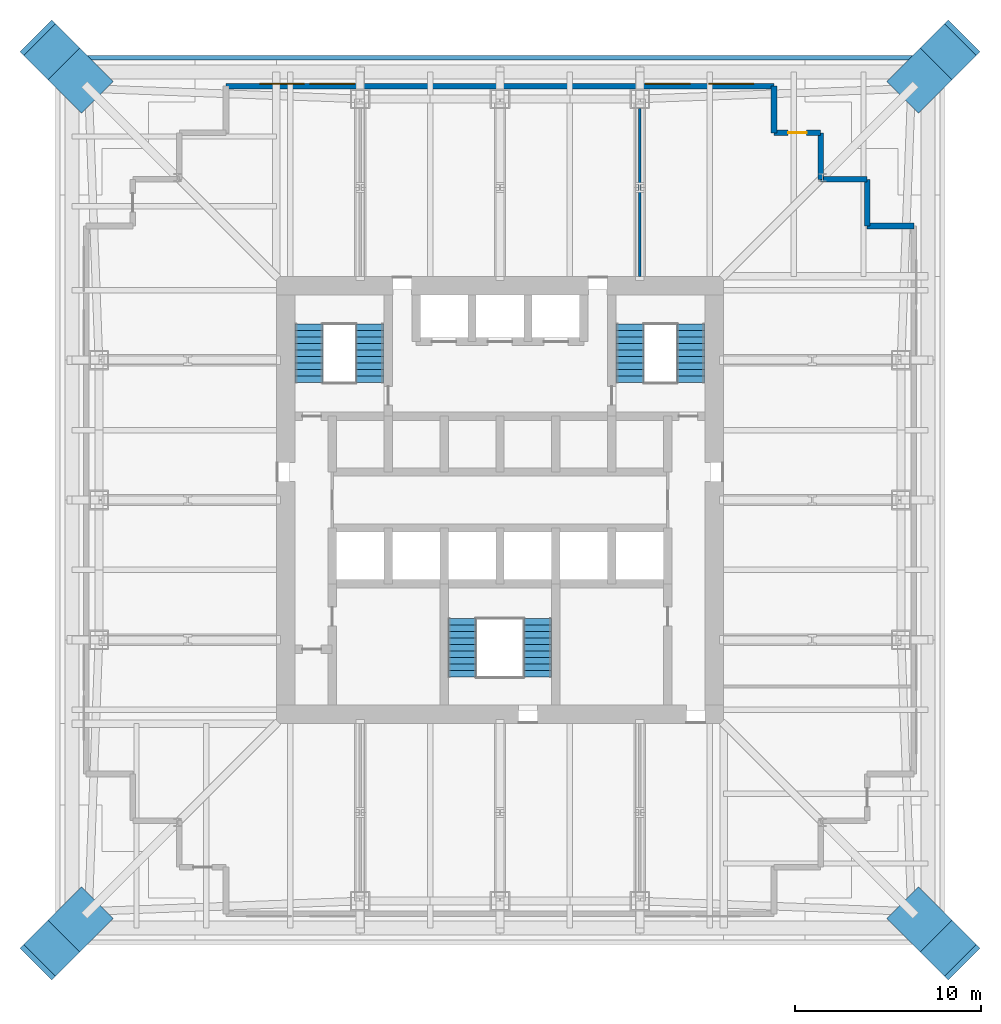
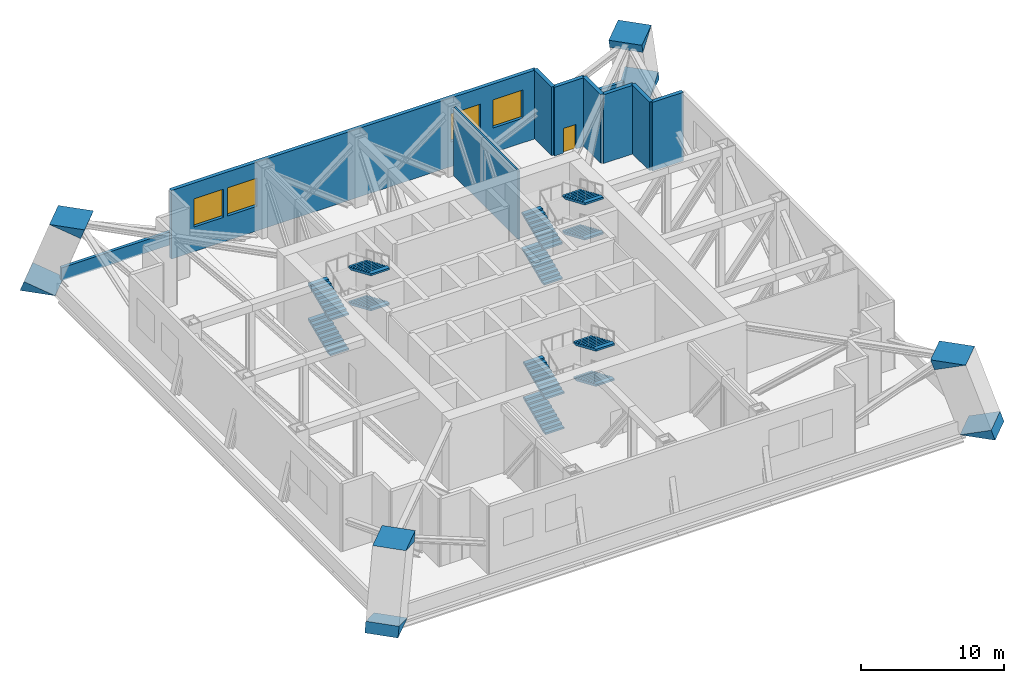
# One storey, part 7 of 8: 12 stair flights, 9 walls, 8 discrete accessories, 4 windows, 1 door, 5 openings, 3 elements without a shape of their own.
"""IFC4 building model written with IfcOpenShell, lengths in metres."""

from ifc_helpers import new_model, si_unit, direction, frame, frame_2d, origin, place, context, subcontext, project, spatial, polyline, rectangle, outline, extrude, material, layer, layer_set, type_object, element, fill, aggregate, save


model = new_model("IFC4")

# Units and contexts
model_context = context("Model", 3, precision=1e-05, world=origin(), true_north=direction((0.0, 1.0)))
body_context = subcontext(model_context, "Body", "Model", "MODEL_VIEW")
ifc_project = project(units=[si_unit("LENGTHUNIT", "METRE"), si_unit("AREAUNIT", "SQUARE_METRE"), si_unit("VOLUMEUNIT", "CUBIC_METRE"), si_unit("PLANEANGLEUNIT", "RADIAN"), si_unit("MASSUNIT", "GRAM", prefix="KILO")], contexts=[model_context])

# Site, building, storey
site_placement = place(None, origin())
site = spatial("IfcSite", under=ifc_project, at=site_placement, CompositionType="ELEMENT")
building_placement = place(site_placement, origin())
building = spatial("IfcBuilding", under=site, at=building_placement, Name="Tarangal Relay Tower", CompositionType="ELEMENT")
storey_placement = place(building_placement, frame((0.0, 0.0, 171.89990234375)))
storey = spatial("IfcBuildingStorey", under=building, at=storey_placement, Name="L35", CompositionType="ELEMENT", Elevation=171.89990234375)

# Wall, openings, windows
ifc_material_1 = material(Name="Insulated precast concrete fc' 40 MPa", Category="concrete")
ifc_layer_1 = layer(ifc_material_1, 0.300048828125)
ifc_layer_set_1 = layer_set([ifc_layer_1], Name="Insulated precast concrete fc' 40 MPa")
wall_type_1 = type_object("IfcWallType", Name="Facade wall precast 300", PredefinedType="SOLIDWALL", material=ifc_layer_set_1)
wall_1_placement = place(storey_placement, frame((-14.699951171875, 22.199951171875, 0.0), z_axis=(0.0, 0.0, 1.0), x_axis=(1.0, 0.0, 0.0)))
wall_1 = element("IfcWall", 1, at=wall_1_placement, inside=storey, type_object=wall_type_1, Name="Facade wall N facade L35", PredefinedType="SOLIDWALL", context=body_context, shape_type="SweptSolid", body=[
    extrude(rectangle(XDim=29.39990234375, YDim=0.300048828125, at=frame_2d((14.699951171875, 0.0))), origin(), (0.0, 0.0, 1.0), 5.85009765625),
])
opening_1_placement = place(wall_1_placement, frame((1.800048828125, 0.0, 2.10009765625)))
opening_1 = element("IfcOpeningElement", 2, at=opening_1_placement, cuts=wall_1, Name="Opening LV1", PredefinedType="OPENING", context=body_context, shape_type="SweptSolid", body=[
    extrude(rectangle(XDim=2.39990234375, YDim=2.39990234375, at=frame_2d((1.199951171875, 1.199951171875))), frame((0.0, 0.159912109375, 0.0), z_axis=(0.0, -1.0, 0.0), x_axis=(1.0, 0.0, 0.0)), (0.0, 0.0, 1.0), 0.320068359375),
])
opening_2_placement = place(wall_1_placement, frame((4.5, 0.0, 2.10009765625)))
opening_2 = element("IfcOpeningElement", 3, at=opening_2_placement, cuts=wall_1, Name="Opening LV1", PredefinedType="OPENING", context=body_context, shape_type="SweptSolid", body=[
    extrude(rectangle(XDim=2.39990234375, YDim=2.39990234375, at=frame_2d((1.199951171875, 1.199951171875))), frame((0.0, 0.159912109375, 0.0), z_axis=(0.0, -1.0, 0.0), x_axis=(1.0, 0.0, 0.0)), (0.0, 0.0, 1.0), 0.320068359375),
])
opening_3_placement = place(wall_1_placement, frame((22.5, 0.0, 2.10009765625)))
opening_3 = element("IfcOpeningElement", 4, at=opening_3_placement, cuts=wall_1, Name="Opening LV1", PredefinedType="OPENING", context=body_context, shape_type="SweptSolid", body=[
    extrude(rectangle(XDim=2.39990234375, YDim=2.39990234375, at=frame_2d((1.199951171875, 1.199951171875))), frame((0.0, 0.159912109375, 0.0), z_axis=(0.0, -1.0, 0.0), x_axis=(1.0, 0.0, 0.0)), (0.0, 0.0, 1.0), 0.320068359375),
])
opening_4_placement = place(wall_1_placement, frame((25.89990234375, 0.0, 2.10009765625)))
opening_4 = element("IfcOpeningElement", 5, at=opening_4_placement, cuts=wall_1, Name="Opening LV1", PredefinedType="OPENING", context=body_context, shape_type="SweptSolid", body=[
    extrude(rectangle(XDim=2.39990234375, YDim=2.39990234375, at=frame_2d((1.199951171875, 1.199951171875))), frame((0.0, 0.159912109375, 0.0), z_axis=(0.0, -1.0, 0.0), x_axis=(1.0, 0.0, 0.0)), (0.0, 0.0, 1.0), 0.320068359375),
])
ifc_material_2 = material(Name="Black aluminium weather louvre", Category="aluminium")
window_type = type_object("IfcWindowType", Name="Louvre 2400 x 2400", PartitioningType="SINGLE_PANEL", PredefinedType="WINDOW", material=ifc_material_2)
window_1_placement = place(opening_1_placement, origin())
window_1 = element("IfcWindow", 6, at=window_1_placement, inside=storey, type_object=window_type, Name="Louvre LV1 N facade L35", OverallHeight=2.39990234375, OverallWidth=2.39990234375, PartitioningType="SINGLE_PANEL", PredefinedType="WINDOW", context=body_context, shape_type="SweptSolid", body=[
    extrude(rectangle(XDim=2.39990234375, YDim=2.39990234375, at=frame_2d((1.199951171875, 1.199951171875))), frame((0.0, 0.150146484375, 0.0), z_axis=(0.0, -1.0, 0.0), x_axis=(1.0, 0.0, 0.0)), (0.0, 0.0, 1.0), 0.06005859375),
])
fill(opening_1, window_1)
window_2_placement = place(opening_2_placement, origin())
window_2 = element("IfcWindow", 7, at=window_2_placement, inside=storey, type_object=window_type, Name="Louvre LV1 N facade L35", OverallHeight=2.39990234375, OverallWidth=2.39990234375, PartitioningType="SINGLE_PANEL", PredefinedType="WINDOW", context=body_context, shape_type="SweptSolid", body=[
    extrude(rectangle(XDim=2.39990234375, YDim=2.39990234375, at=frame_2d((1.199951171875, 1.199951171875))), frame((0.0, 0.150146484375, 0.0), z_axis=(0.0, -1.0, 0.0), x_axis=(1.0, 0.0, 0.0)), (0.0, 0.0, 1.0), 0.06005859375),
])
fill(opening_2, window_2)
window_3_placement = place(opening_3_placement, origin())
window_3 = element("IfcWindow", 8, at=window_3_placement, inside=storey, type_object=window_type, Name="Louvre LV1 N facade L35", OverallHeight=2.39990234375, OverallWidth=2.39990234375, PartitioningType="SINGLE_PANEL", PredefinedType="WINDOW", context=body_context, shape_type="SweptSolid", body=[
    extrude(rectangle(XDim=2.39990234375, YDim=2.39990234375, at=frame_2d((1.199951171875, 1.199951171875))), frame((0.0, 0.150146484375, 0.0), z_axis=(0.0, -1.0, 0.0), x_axis=(1.0, 0.0, 0.0)), (0.0, 0.0, 1.0), 0.06005859375),
])
fill(opening_3, window_3)
window_4_placement = place(opening_4_placement, origin())
window_4 = element("IfcWindow", 9, at=window_4_placement, inside=storey, type_object=window_type, Name="Louvre LV1 N facade L35", OverallHeight=2.39990234375, OverallWidth=2.39990234375, PartitioningType="SINGLE_PANEL", PredefinedType="WINDOW", context=body_context, shape_type="SweptSolid", body=[
    extrude(rectangle(XDim=2.39990234375, YDim=2.39990234375, at=frame_2d((1.199951171875, 1.199951171875))), frame((0.0, 0.150146484375, 0.0), z_axis=(0.0, -1.0, 0.0), x_axis=(1.0, 0.0, 0.0)), (0.0, 0.0, 1.0), 0.06005859375),
])
fill(opening_4, window_4)

# Wall
wall_2_placement = place(storey_placement, frame((14.699951171875, 22.199951171875, 0.0), z_axis=(0.0, 0.0, 1.0), x_axis=(0.0, -1.0, 0.0)))
element("IfcWall", 10, at=wall_2_placement, inside=storey, type_object=wall_type_1, Name="Facade wall N facade L35", PredefinedType="SOLIDWALL", context=body_context, shape_type="SweptSolid", body=[
    extrude(rectangle(XDim=2.5, YDim=0.300048828125, at=frame_2d((1.25, 0.0))), origin(), (0.0, 0.0, 1.0), 5.85009765625),
])

# Wall, opening, door
wall_3_placement = place(storey_placement, frame((14.699951171875, 19.699951171875, 0.0), z_axis=(0.0, 0.0, 1.0), x_axis=(1.0, 0.0, 0.0)))
wall_3 = element("IfcWall", 11, at=wall_3_placement, inside=storey, type_object=wall_type_1, Name="Facade wall N facade L35", PredefinedType="SOLIDWALL", context=body_context, shape_type="SweptSolid", body=[
    extrude(rectangle(XDim=2.5, YDim=0.300048828125, at=frame_2d((1.25, 0.0))), origin(), (0.0, 0.0, 1.0), 5.85009765625),
])
opening_5_placement = place(wall_3_placement, frame((0.75, 0.0, 0.0)))
opening_5 = element("IfcOpeningElement", 12, at=opening_5_placement, cuts=wall_3, Name="Opening MD1", PredefinedType="OPENING", context=body_context, shape_type="SweptSolid", body=[
    extrude(rectangle(XDim=1.0, YDim=2.10009765625, at=frame_2d((0.5, 1.050048828125))), frame((0.0, 0.159912109375, 0.0), z_axis=(0.0, -1.0, 0.0), x_axis=(1.0, 0.0, 0.0)), (0.0, 0.0, 1.0), 0.320068359375),
])
ifc_material_3 = material(Name="Steel door with hardwood frame", Category="steel")
door_type = type_object("IfcDoorType", Name="Maintenance access door 1000 x 2100", OperationType="SINGLE_SWING_RIGHT", PredefinedType="DOOR", material=ifc_material_3)
door_placement = place(opening_5_placement, origin())
door = element("IfcDoor", 13, at=door_placement, inside=storey, type_object=door_type, Name="Maintenance access door MD1 NE L35", OperationType="SINGLE_SWING_RIGHT", OverallHeight=2.10009765625, OverallWidth=1.0, PredefinedType="DOOR", context=body_context, shape_type="SweptSolid", body=[
    extrude(rectangle(XDim=1.0, YDim=2.10009765625, at=frame_2d((0.5, 1.050048828125))), frame((0.0, 0.02490234375, 0.0), z_axis=(0.0, -1.0, 0.0), x_axis=(1.0, 0.0, 0.0)), (0.0, 0.0, 1.0), 0.050048828125),
])
fill(opening_5, door)

# Walls
for number, where, z_axis, x_axis, name in (
    (14, (17.199951171875, 19.699951171875, 0.0), (0.0, 0.0, 1.0), (0.0, -1.0, 0.0), "Facade wall N facade L35"),
    (15, (17.199951171875, 17.199951171875, 0.0), (0.0, 0.0, 1.0), (1.0, 0.0, 0.0), "Facade wall N facade L35"),
    (16, (19.699951171875, 17.199951171875, 0.0), (0.0, 0.0, 1.0), (0.0, -1.0, 0.0), "Facade wall N facade L35"),
    (17, (19.699951171875, 14.699951171875, 0.0), (0.0, 0.0, 1.0), (1.0, 0.0, 0.0), "Facade wall N facade L35"),
):
    element("IfcWall", number, at=place(storey_placement, frame(where, z_axis=z_axis, x_axis=x_axis)), inside=storey, type_object=wall_type_1, Name=name, PredefinedType="SOLIDWALL", context=body_context, shape_type="SweptSolid", body=[
        extrude(rectangle(XDim=2.5, YDim=0.300048828125, at=frame_2d((1.25, 0.0))), origin(), (0.0, 0.0, 1.0), 5.85009765625),
    ])
ifc_material_4 = material(Name="Concrete parapet with metal coping", Category="concrete")
ifc_layer_2 = layer(ifc_material_4, 0.25)
ifc_layer_set_2 = layer_set([ifc_layer_2], Name="Parapet 250")
wall_type_2 = type_object("IfcWallType", Name="Parapet 250", PredefinedType="PARAPET", material=ifc_layer_set_2)
wall_4_placement = place(storey_placement, frame((-22.64990234375, 23.72509765625, 0.0), z_axis=(0.0, 0.0, 1.0), x_axis=(1.0, 0.0, 0.0)))
element("IfcWall", 18, at=wall_4_placement, inside=storey, type_object=wall_type_2, Name="Ledge parapet PP1 L35", PredefinedType="PARAPET", context=body_context, shape_type="SweptSolid", body=[
    extrude(rectangle(XDim=45.2998046875, YDim=0.25, at=frame_2d((22.64990234375, 0.0))), origin(), (0.0, 0.0, 1.0), 1.10009765625),
])
ifc_material_5 = material(Name="Gypsum board on steel studs", Category="steel")
ifc_layer_3 = layer(ifc_material_5, 0.14990234375)
ifc_layer_set_3 = layer_set([ifc_layer_3], Name="Partition 150")
wall_type_3 = type_object("IfcWallType", Name="Partition 150", PredefinedType="PARTITIONING", material=ifc_layer_set_3)
wall_5_placement = place(storey_placement, frame((7.5, 12.0, 0.0), z_axis=(0.0, 0.0, 1.0), x_axis=(0.0, 1.0, 0.0)))
element("IfcWall", 19, at=wall_5_placement, inside=storey, type_object=wall_type_3, Name="Partition PT1 L35", PredefinedType="PARTITIONING", context=body_context, shape_type="SweptSolid", body=[
    extrude(rectangle(XDim=8.989990234375, YDim=0.14990234375, at=frame_2d((4.4951171875, 0.0))), origin(), (0.0, 0.0, 1.0), 5.85009765625),
])

# Stair, stair flights
ifc_material_6 = material(Name="Steel ASTM A992 stair flight", Category="steel")
stair_type = type_object("IfcStairType", Name="Core stair 1500", PredefinedType="HALF_TURN_STAIR", material=ifc_material_6)
stair_1_placement = place(storey_placement, origin())
stair_1 = element("IfcStair", 20, at=stair_1_placement, inside=storey, type_object=stair_type, Name="Stair ST-A L35", PredefinedType="HALF_TURN_STAIR")
stair_flight_type = type_object("IfcStairFlightType", Name="Steel stair flight 1500, 10 risers 150 x 348", PredefinedType="STRAIGHT", material=ifc_material_6)
stair_flight_1_placement = place(storey_placement, frame((-10.25, 6.300048828125, 0.0), z_axis=(0.0, 0.0, 1.0), x_axis=(0.0, 1.0, 0.0)))
stair_flight_1 = element("IfcStairFlight", 21, at=stair_flight_1_placement, type_object=stair_flight_type, Name="ST-A flight 1", NumberOfRisers=10, NumberOfTreads=9, PredefinedType="STRAIGHT", RiserHeight=0.15, TreadLength=0.348, context=body_context, shape_type="SweptSolid", body=[
    extrude(outline(polyline([(0.0, 0.0), (0.0, 0.14990234375), (0.347900390625, 0.14990234375), (0.347900390625, 0.300048828125), (0.696044921875, 0.300048828125), (0.696044921875, 0.449951171875), (1.0439453125, 0.449951171875), (1.0439453125, 0.60009765625), (1.39208984375, 0.60009765625), (1.39208984375, 0.75), (1.739990234375, 0.75), (1.739990234375, 0.89990234375), (2.087890625, 0.89990234375), (2.087890625, 1.050048828125), (2.43603515625, 1.050048828125), (2.43603515625, 1.199951171875), (2.783935546875, 1.199951171875), (2.783935546875, 1.35009765625), (3.132080078125, 1.35009765625), (3.132080078125, 1.5), (3.132080078125, 1.186767578125), (0.378662109375, 0.0), (0.0, 0.0)])), frame((0.0, 0.75, 0.0), z_axis=(0.0, -1.0, 0.0), x_axis=(1.0, 0.0, 0.0)), (0.0, 0.0, 1.0), 1.5),
])
stair_flight_2_placement = place(storey_placement, frame((-6.97509765625, 9.431884765625, 1.5), z_axis=(0.0, 0.0, 1.0), x_axis=(0.0, -1.0, 0.0)))
stair_flight_2 = element("IfcStairFlight", 22, at=stair_flight_2_placement, type_object=stair_flight_type, Name="ST-A flight 2", NumberOfRisers=10, NumberOfTreads=9, PredefinedType="STRAIGHT", RiserHeight=0.15, TreadLength=0.348, context=body_context, shape_type="SweptSolid", body=[
    extrude(outline(polyline([(0.0, 0.0), (0.0, 0.14990234375), (0.347900390625, 0.14990234375), (0.347900390625, 0.300048828125), (0.696044921875, 0.300048828125), (0.696044921875, 0.449951171875), (1.0439453125, 0.449951171875), (1.0439453125, 0.60009765625), (1.39208984375, 0.60009765625), (1.39208984375, 0.75), (1.739990234375, 0.75), (1.739990234375, 0.89990234375), (2.087890625, 0.89990234375), (2.087890625, 1.050048828125), (2.43603515625, 1.050048828125), (2.43603515625, 1.199951171875), (2.783935546875, 1.199951171875), (2.783935546875, 1.35009765625), (3.132080078125, 1.35009765625), (3.132080078125, 1.5), (3.132080078125, 1.186767578125), (0.378662109375, 0.0), (0.0, 0.0)])), frame((0.0, 0.75, 0.0), z_axis=(0.0, -1.0, 0.0), x_axis=(1.0, 0.0, 0.0)), (0.0, 0.0, 1.0), 1.5),
])
stair_flight_3_placement = place(storey_placement, frame((-10.25, 6.300048828125, 3.0), z_axis=(0.0, 0.0, 1.0), x_axis=(0.0, 1.0, 0.0)))
stair_flight_3 = element("IfcStairFlight", 23, at=stair_flight_3_placement, type_object=stair_flight_type, Name="ST-A flight 3", NumberOfRisers=10, NumberOfTreads=9, PredefinedType="STRAIGHT", RiserHeight=0.15, TreadLength=0.348, context=body_context, shape_type="SweptSolid", body=[
    extrude(outline(polyline([(0.0, 0.0), (0.0, 0.14990234375), (0.347900390625, 0.14990234375), (0.347900390625, 0.300048828125), (0.696044921875, 0.300048828125), (0.696044921875, 0.449951171875), (1.0439453125, 0.449951171875), (1.0439453125, 0.60009765625), (1.39208984375, 0.60009765625), (1.39208984375, 0.75), (1.739990234375, 0.75), (1.739990234375, 0.89990234375), (2.087890625, 0.89990234375), (2.087890625, 1.050048828125), (2.43603515625, 1.050048828125), (2.43603515625, 1.199951171875), (2.783935546875, 1.199951171875), (2.783935546875, 1.35009765625), (3.132080078125, 1.35009765625), (3.132080078125, 1.5), (3.132080078125, 1.186767578125), (0.378662109375, 0.0), (0.0, 0.0)])), frame((0.0, 0.75, 0.0), z_axis=(0.0, -1.0, 0.0), x_axis=(1.0, 0.0, 0.0)), (0.0, 0.0, 1.0), 1.5),
])
stair_flight_4_placement = place(storey_placement, frame((-6.97509765625, 9.431884765625, 4.5), z_axis=(0.0, 0.0, 1.0), x_axis=(0.0, -1.0, 0.0)))
stair_flight_4 = element("IfcStairFlight", 24, at=stair_flight_4_placement, type_object=stair_flight_type, Name="ST-A flight 4", NumberOfRisers=10, NumberOfTreads=9, PredefinedType="STRAIGHT", RiserHeight=0.15, TreadLength=0.348, context=body_context, shape_type="SweptSolid", body=[
    extrude(outline(polyline([(0.0, 0.0), (0.0, 0.14990234375), (0.347900390625, 0.14990234375), (0.347900390625, 0.300048828125), (0.696044921875, 0.300048828125), (0.696044921875, 0.449951171875), (1.0439453125, 0.449951171875), (1.0439453125, 0.60009765625), (1.39208984375, 0.60009765625), (1.39208984375, 0.75), (1.739990234375, 0.75), (1.739990234375, 0.89990234375), (2.087890625, 0.89990234375), (2.087890625, 1.050048828125), (2.43603515625, 1.050048828125), (2.43603515625, 1.199951171875), (2.783935546875, 1.199951171875), (2.783935546875, 1.35009765625), (3.132080078125, 1.35009765625), (3.132080078125, 1.5), (3.132080078125, 1.186767578125), (0.378662109375, 0.0), (0.0, 0.0)])), frame((0.0, 0.75, 0.0), z_axis=(0.0, -1.0, 0.0), x_axis=(1.0, 0.0, 0.0)), (0.0, 0.0, 1.0), 1.5),
])
aggregate(stair_1, [stair_flight_1, stair_flight_2, stair_flight_3, stair_flight_4])

stair_2_placement = place(storey_placement, origin())
stair_2 = element("IfcStair", 25, at=stair_2_placement, inside=storey, type_object=stair_type, Name="Stair ST-B L35", PredefinedType="HALF_TURN_STAIR")
stair_flight_5_placement = place(storey_placement, frame((6.97509765625, 6.300048828125, 0.0), z_axis=(0.0, 0.0, 1.0), x_axis=(0.0, 1.0, 0.0)))
stair_flight_5 = element("IfcStairFlight", 26, at=stair_flight_5_placement, type_object=stair_flight_type, Name="ST-B flight 1", NumberOfRisers=10, NumberOfTreads=9, PredefinedType="STRAIGHT", RiserHeight=0.15, TreadLength=0.348, context=body_context, shape_type="SweptSolid", body=[
    extrude(outline(polyline([(0.0, 0.0), (0.0, 0.14990234375), (0.347900390625, 0.14990234375), (0.347900390625, 0.300048828125), (0.696044921875, 0.300048828125), (0.696044921875, 0.449951171875), (1.0439453125, 0.449951171875), (1.0439453125, 0.60009765625), (1.39208984375, 0.60009765625), (1.39208984375, 0.75), (1.739990234375, 0.75), (1.739990234375, 0.89990234375), (2.087890625, 0.89990234375), (2.087890625, 1.050048828125), (2.43603515625, 1.050048828125), (2.43603515625, 1.199951171875), (2.783935546875, 1.199951171875), (2.783935546875, 1.35009765625), (3.132080078125, 1.35009765625), (3.132080078125, 1.5), (3.132080078125, 1.186767578125), (0.378662109375, 0.0), (0.0, 0.0)])), frame((0.0, 0.75, 0.0), z_axis=(0.0, -1.0, 0.0), x_axis=(1.0, 0.0, 0.0)), (0.0, 0.0, 1.0), 1.5),
])
stair_flight_6_placement = place(storey_placement, frame((10.25, 9.431884765625, 1.5), z_axis=(0.0, 0.0, 1.0), x_axis=(0.0, -1.0, 0.0)))
stair_flight_6 = element("IfcStairFlight", 27, at=stair_flight_6_placement, type_object=stair_flight_type, Name="ST-B flight 2", NumberOfRisers=10, NumberOfTreads=9, PredefinedType="STRAIGHT", RiserHeight=0.15, TreadLength=0.348, context=body_context, shape_type="SweptSolid", body=[
    extrude(outline(polyline([(0.0, 0.0), (0.0, 0.14990234375), (0.347900390625, 0.14990234375), (0.347900390625, 0.300048828125), (0.696044921875, 0.300048828125), (0.696044921875, 0.449951171875), (1.0439453125, 0.449951171875), (1.0439453125, 0.60009765625), (1.39208984375, 0.60009765625), (1.39208984375, 0.75), (1.739990234375, 0.75), (1.739990234375, 0.89990234375), (2.087890625, 0.89990234375), (2.087890625, 1.050048828125), (2.43603515625, 1.050048828125), (2.43603515625, 1.199951171875), (2.783935546875, 1.199951171875), (2.783935546875, 1.35009765625), (3.132080078125, 1.35009765625), (3.132080078125, 1.5), (3.132080078125, 1.186767578125), (0.378662109375, 0.0), (0.0, 0.0)])), frame((0.0, 0.75, 0.0), z_axis=(0.0, -1.0, 0.0), x_axis=(1.0, 0.0, 0.0)), (0.0, 0.0, 1.0), 1.5),
])
stair_flight_7_placement = place(storey_placement, frame((6.97509765625, 6.300048828125, 3.0), z_axis=(0.0, 0.0, 1.0), x_axis=(0.0, 1.0, 0.0)))
stair_flight_7 = element("IfcStairFlight", 28, at=stair_flight_7_placement, type_object=stair_flight_type, Name="ST-B flight 3", NumberOfRisers=10, NumberOfTreads=9, PredefinedType="STRAIGHT", RiserHeight=0.15, TreadLength=0.348, context=body_context, shape_type="SweptSolid", body=[
    extrude(outline(polyline([(0.0, 0.0), (0.0, 0.14990234375), (0.347900390625, 0.14990234375), (0.347900390625, 0.300048828125), (0.696044921875, 0.300048828125), (0.696044921875, 0.449951171875), (1.0439453125, 0.449951171875), (1.0439453125, 0.60009765625), (1.39208984375, 0.60009765625), (1.39208984375, 0.75), (1.739990234375, 0.75), (1.739990234375, 0.89990234375), (2.087890625, 0.89990234375), (2.087890625, 1.050048828125), (2.43603515625, 1.050048828125), (2.43603515625, 1.199951171875), (2.783935546875, 1.199951171875), (2.783935546875, 1.35009765625), (3.132080078125, 1.35009765625), (3.132080078125, 1.5), (3.132080078125, 1.186767578125), (0.378662109375, 0.0), (0.0, 0.0)])), frame((0.0, 0.75, 0.0), z_axis=(0.0, -1.0, 0.0), x_axis=(1.0, 0.0, 0.0)), (0.0, 0.0, 1.0), 1.5),
])
stair_flight_8_placement = place(storey_placement, frame((10.25, 9.431884765625, 4.5), z_axis=(0.0, 0.0, 1.0), x_axis=(0.0, -1.0, 0.0)))
stair_flight_8 = element("IfcStairFlight", 29, at=stair_flight_8_placement, type_object=stair_flight_type, Name="ST-B flight 4", NumberOfRisers=10, NumberOfTreads=9, PredefinedType="STRAIGHT", RiserHeight=0.15, TreadLength=0.348, context=body_context, shape_type="SweptSolid", body=[
    extrude(outline(polyline([(0.0, 0.0), (0.0, 0.14990234375), (0.347900390625, 0.14990234375), (0.347900390625, 0.300048828125), (0.696044921875, 0.300048828125), (0.696044921875, 0.449951171875), (1.0439453125, 0.449951171875), (1.0439453125, 0.60009765625), (1.39208984375, 0.60009765625), (1.39208984375, 0.75), (1.739990234375, 0.75), (1.739990234375, 0.89990234375), (2.087890625, 0.89990234375), (2.087890625, 1.050048828125), (2.43603515625, 1.050048828125), (2.43603515625, 1.199951171875), (2.783935546875, 1.199951171875), (2.783935546875, 1.35009765625), (3.132080078125, 1.35009765625), (3.132080078125, 1.5), (3.132080078125, 1.186767578125), (0.378662109375, 0.0), (0.0, 0.0)])), frame((0.0, 0.75, 0.0), z_axis=(0.0, -1.0, 0.0), x_axis=(1.0, 0.0, 0.0)), (0.0, 0.0, 1.0), 1.5),
])
aggregate(stair_2, [stair_flight_5, stair_flight_6, stair_flight_7, stair_flight_8])

stair_3_placement = place(storey_placement, origin())
stair_3 = element("IfcStair", 30, at=stair_3_placement, inside=storey, type_object=stair_type, Name="Stair ST-C L35", PredefinedType="HALF_TURN_STAIR")
stair_flight_9_placement = place(storey_placement, frame((-2.02490234375, -9.5, 0.0), z_axis=(0.0, 0.0, 1.0), x_axis=(0.0, 1.0, 0.0)))
stair_flight_9 = element("IfcStairFlight", 31, at=stair_flight_9_placement, type_object=stair_flight_type, Name="ST-C flight 1", NumberOfRisers=10, NumberOfTreads=9, PredefinedType="STRAIGHT", RiserHeight=0.15, TreadLength=0.348, context=body_context, shape_type="SweptSolid", body=[
    extrude(outline(polyline([(0.0, 0.0), (0.0, 0.14990234375), (0.347900390625, 0.14990234375), (0.347900390625, 0.300048828125), (0.696044921875, 0.300048828125), (0.696044921875, 0.449951171875), (1.0439453125, 0.449951171875), (1.0439453125, 0.60009765625), (1.39208984375, 0.60009765625), (1.39208984375, 0.75), (1.739990234375, 0.75), (1.739990234375, 0.89990234375), (2.087890625, 0.89990234375), (2.087890625, 1.050048828125), (2.43603515625, 1.050048828125), (2.43603515625, 1.199951171875), (2.783935546875, 1.199951171875), (2.783935546875, 1.35009765625), (3.132080078125, 1.35009765625), (3.132080078125, 1.5), (3.132080078125, 1.186767578125), (0.378662109375, 0.0), (0.0, 0.0)])), frame((0.0, 0.75, 0.0), z_axis=(0.0, -1.0, 0.0), x_axis=(1.0, 0.0, 0.0)), (0.0, 0.0, 1.0), 1.5),
])
stair_flight_10_placement = place(storey_placement, frame((2.02490234375, -6.367919921875, 1.5), z_axis=(0.0, 0.0, 1.0), x_axis=(0.0, -1.0, 0.0)))
stair_flight_10 = element("IfcStairFlight", 32, at=stair_flight_10_placement, type_object=stair_flight_type, Name="ST-C flight 2", NumberOfRisers=10, NumberOfTreads=9, PredefinedType="STRAIGHT", RiserHeight=0.15, TreadLength=0.348, context=body_context, shape_type="SweptSolid", body=[
    extrude(outline(polyline([(0.0, 0.0), (0.0, 0.14990234375), (0.347900390625, 0.14990234375), (0.347900390625, 0.300048828125), (0.696044921875, 0.300048828125), (0.696044921875, 0.449951171875), (1.0439453125, 0.449951171875), (1.0439453125, 0.60009765625), (1.39208984375, 0.60009765625), (1.39208984375, 0.75), (1.739990234375, 0.75), (1.739990234375, 0.89990234375), (2.087890625, 0.89990234375), (2.087890625, 1.050048828125), (2.43603515625, 1.050048828125), (2.43603515625, 1.199951171875), (2.783935546875, 1.199951171875), (2.783935546875, 1.35009765625), (3.132080078125, 1.35009765625), (3.132080078125, 1.5), (3.132080078125, 1.186767578125), (0.378662109375, 0.0), (0.0, 0.0)])), frame((0.0, 0.75, 0.0), z_axis=(0.0, -1.0, 0.0), x_axis=(1.0, 0.0, 0.0)), (0.0, 0.0, 1.0), 1.5),
])
stair_flight_11_placement = place(storey_placement, frame((-2.02490234375, -9.5, 3.0), z_axis=(0.0, 0.0, 1.0), x_axis=(0.0, 1.0, 0.0)))
stair_flight_11 = element("IfcStairFlight", 33, at=stair_flight_11_placement, type_object=stair_flight_type, Name="ST-C flight 3", NumberOfRisers=10, NumberOfTreads=9, PredefinedType="STRAIGHT", RiserHeight=0.15, TreadLength=0.348, context=body_context, shape_type="SweptSolid", body=[
    extrude(outline(polyline([(0.0, 0.0), (0.0, 0.14990234375), (0.347900390625, 0.14990234375), (0.347900390625, 0.300048828125), (0.696044921875, 0.300048828125), (0.696044921875, 0.449951171875), (1.0439453125, 0.449951171875), (1.0439453125, 0.60009765625), (1.39208984375, 0.60009765625), (1.39208984375, 0.75), (1.739990234375, 0.75), (1.739990234375, 0.89990234375), (2.087890625, 0.89990234375), (2.087890625, 1.050048828125), (2.43603515625, 1.050048828125), (2.43603515625, 1.199951171875), (2.783935546875, 1.199951171875), (2.783935546875, 1.35009765625), (3.132080078125, 1.35009765625), (3.132080078125, 1.5), (3.132080078125, 1.186767578125), (0.378662109375, 0.0), (0.0, 0.0)])), frame((0.0, 0.75, 0.0), z_axis=(0.0, -1.0, 0.0), x_axis=(1.0, 0.0, 0.0)), (0.0, 0.0, 1.0), 1.5),
])
stair_flight_12_placement = place(storey_placement, frame((2.02490234375, -6.367919921875, 4.5), z_axis=(0.0, 0.0, 1.0), x_axis=(0.0, -1.0, 0.0)))
stair_flight_12 = element("IfcStairFlight", 34, at=stair_flight_12_placement, type_object=stair_flight_type, Name="ST-C flight 4", NumberOfRisers=10, NumberOfTreads=9, PredefinedType="STRAIGHT", RiserHeight=0.15, TreadLength=0.348, context=body_context, shape_type="SweptSolid", body=[
    extrude(outline(polyline([(0.0, 0.0), (0.0, 0.14990234375), (0.347900390625, 0.14990234375), (0.347900390625, 0.300048828125), (0.696044921875, 0.300048828125), (0.696044921875, 0.449951171875), (1.0439453125, 0.449951171875), (1.0439453125, 0.60009765625), (1.39208984375, 0.60009765625), (1.39208984375, 0.75), (1.739990234375, 0.75), (1.739990234375, 0.89990234375), (2.087890625, 0.89990234375), (2.087890625, 1.050048828125), (2.43603515625, 1.050048828125), (2.43603515625, 1.199951171875), (2.783935546875, 1.199951171875), (2.783935546875, 1.35009765625), (3.132080078125, 1.35009765625), (3.132080078125, 1.5), (3.132080078125, 1.186767578125), (0.378662109375, 0.0), (0.0, 0.0)])), frame((0.0, 0.75, 0.0), z_axis=(0.0, -1.0, 0.0), x_axis=(1.0, 0.0, 0.0)), (0.0, 0.0, 1.0), 1.5),
])
aggregate(stair_3, [stair_flight_9, stair_flight_10, stair_flight_11, stair_flight_12])

# Discrete accessories
ifc_material_7 = material(Name="Steel ASTM A572 Grade 50", Category="steel")
ifc_layer_4 = layer(ifc_material_7, 2.39990234375)
ifc_layer_set_4 = layer_set([ifc_layer_4], Name="Mega column node 2400")
discrete_accessory_type = type_object("IfcDiscreteAccessoryType", Name="Mega column node 2400", PredefinedType="USERDEFINED", material=ifc_layer_set_4)
discrete_accessory_1_placement = place(storey_placement, frame((23.948486328125, 22.251220703125, 0.00048828125), z_axis=(0.707154571041, -0.707058432198, 0.000886630027), x_axis=(0.666406657057, 0.666915286776, 0.333355917444)))
element("IfcDiscreteAccessory", 35, at=discrete_accessory_1_placement, inside=storey, type_object=discrete_accessory_type, Name="Mega column node MN2 NE L35 foot", ObjectType="Mega column node", PredefinedType="USERDEFINED", context=body_context, shape_type="SweptSolid", body=[
    extrude(outline(polyline([(0.0, 0.0), (2.3999838798696835, -1.1102230246251565e-16), (2.4000446521802763, -0.8491268827002891), (0.0, 0.0)])), origin(), (0.0, 0.0, -1.0), 2.39990234375),
])
discrete_accessory_2_placement = place(storey_placement, frame((24.248046875, 22.55224609375, 5.99951171875), z_axis=(0.707154570909, -0.707058431992, 0.000886900524), x_axis=(-0.666429253238, -0.666937900203, -0.333265491315)))
element("IfcDiscreteAccessory", 36, at=discrete_accessory_2_placement, inside=storey, type_object=discrete_accessory_type, Name="Mega column node MN2 NE L35 head", ObjectType="Mega column node", PredefinedType="USERDEFINED", context=body_context, shape_type="SweptSolid", body=[
    extrude(outline(polyline([(0.0, 0.0), (2.39990250518581, 1.1102230246251565e-16), (2.4001260813565537, -0.8488966892240115), (0.0, 0.0)])), origin(), (0.0, 0.0, -1.0), 2.39990234375),
])
discrete_accessory_3_placement = place(storey_placement, frame((22.251220703125, -23.948486328125, 0.00048828125), z_axis=(-0.707058432198, -0.707154571041, 0.000886630027), x_axis=(0.666915286776, -0.666406657057, 0.333355917444)))
element("IfcDiscreteAccessory", 37, at=discrete_accessory_3_placement, inside=storey, type_object=discrete_accessory_type, Name="Mega column node MN2 SE L35 foot", ObjectType="Mega column node", PredefinedType="USERDEFINED", context=body_context, shape_type="SweptSolid", body=[
    extrude(outline(polyline([(0.0, 0.0), (2.3999838798696835, -1.1102230246251565e-16), (2.4000446521802763, -0.8491268827002891), (0.0, 0.0)])), origin(), (0.0, 0.0, -1.0), 2.39990234375),
])
discrete_accessory_4_placement = place(storey_placement, frame((22.55224609375, -24.248046875, 5.99951171875), z_axis=(-0.707058431992, -0.707154570909, 0.000886900524), x_axis=(-0.666937900203, 0.666429253238, -0.333265491315)))
element("IfcDiscreteAccessory", 38, at=discrete_accessory_4_placement, inside=storey, type_object=discrete_accessory_type, Name="Mega column node MN2 SE L35 head", ObjectType="Mega column node", PredefinedType="USERDEFINED", context=body_context, shape_type="SweptSolid", body=[
    extrude(outline(polyline([(0.0, 0.0), (2.39990250518581, 1.1102230246251565e-16), (2.4001260813565537, -0.8488966892240115), (0.0, 0.0)])), origin(), (0.0, 0.0, -1.0), 2.39990234375),
])
discrete_accessory_5_placement = place(storey_placement, frame((-23.948486328125, -22.251220703125, 0.00048828125), z_axis=(-0.707154571041, 0.707058432198, 0.000886630027), x_axis=(-0.666406657057, -0.666915286776, 0.333355917444)))
element("IfcDiscreteAccessory", 39, at=discrete_accessory_5_placement, inside=storey, type_object=discrete_accessory_type, Name="Mega column node MN2 SW L35 foot", ObjectType="Mega column node", PredefinedType="USERDEFINED", context=body_context, shape_type="SweptSolid", body=[
    extrude(outline(polyline([(0.0, 0.0), (2.3999838798696835, -1.1102230246251565e-16), (2.4000446521802763, -0.8491268827002891), (0.0, 0.0)])), origin(), (0.0, 0.0, -1.0), 2.39990234375),
])
discrete_accessory_6_placement = place(storey_placement, frame((-24.248046875, -22.55224609375, 5.99951171875), z_axis=(-0.707154570909, 0.707058431992, 0.000886900524), x_axis=(0.666429253238, 0.666937900203, -0.333265491315)))
element("IfcDiscreteAccessory", 40, at=discrete_accessory_6_placement, inside=storey, type_object=discrete_accessory_type, Name="Mega column node MN2 SW L35 head", ObjectType="Mega column node", PredefinedType="USERDEFINED", context=body_context, shape_type="SweptSolid", body=[
    extrude(outline(polyline([(0.0, 0.0), (2.39990250518581, 1.1102230246251565e-16), (2.4001260813565537, -0.8488966892240115), (0.0, 0.0)])), origin(), (0.0, 0.0, -1.0), 2.39990234375),
])
discrete_accessory_7_placement = place(storey_placement, frame((-22.251220703125, 23.948486328125, 0.00048828125), z_axis=(0.707058432198, 0.707154571041, 0.000886630027), x_axis=(-0.666915286776, 0.666406657057, 0.333355917444)))
element("IfcDiscreteAccessory", 41, at=discrete_accessory_7_placement, inside=storey, type_object=discrete_accessory_type, Name="Mega column node MN2 NW L35 foot", ObjectType="Mega column node", PredefinedType="USERDEFINED", context=body_context, shape_type="SweptSolid", body=[
    extrude(outline(polyline([(0.0, 0.0), (2.3999838798696835, -1.1102230246251565e-16), (2.4000446521802763, -0.8491268827002891), (0.0, 0.0)])), origin(), (0.0, 0.0, -1.0), 2.39990234375),
])
discrete_accessory_8_placement = place(storey_placement, frame((-22.55224609375, 24.248046875, 5.99951171875), z_axis=(0.707058431992, 0.707154570909, 0.000886900524), x_axis=(0.666937900203, -0.666429253238, -0.333265491315)))
element("IfcDiscreteAccessory", 42, at=discrete_accessory_8_placement, inside=storey, type_object=discrete_accessory_type, Name="Mega column node MN2 NW L35 head", ObjectType="Mega column node", PredefinedType="USERDEFINED", context=body_context, shape_type="SweptSolid", body=[
    extrude(outline(polyline([(0.0, 0.0), (2.39990250518581, 1.1102230246251565e-16), (2.4001260813565537, -0.8488966892240115), (0.0, 0.0)])), origin(), (0.0, 0.0, -1.0), 2.39990234375),
])

save(model, "model.ifc")
